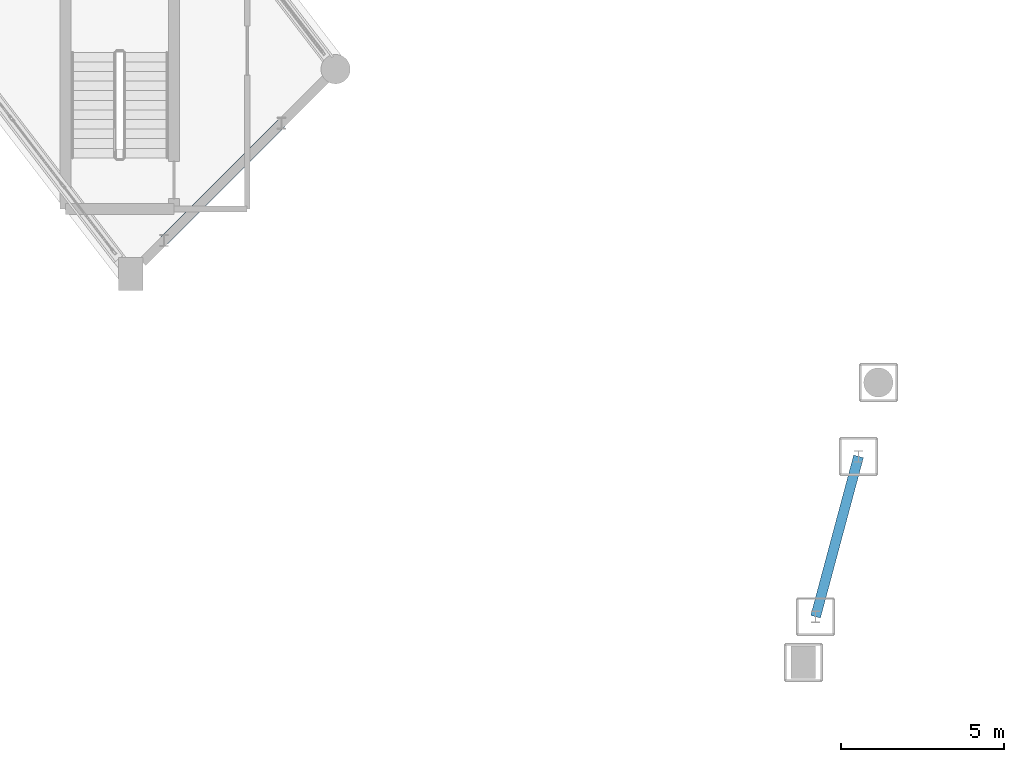
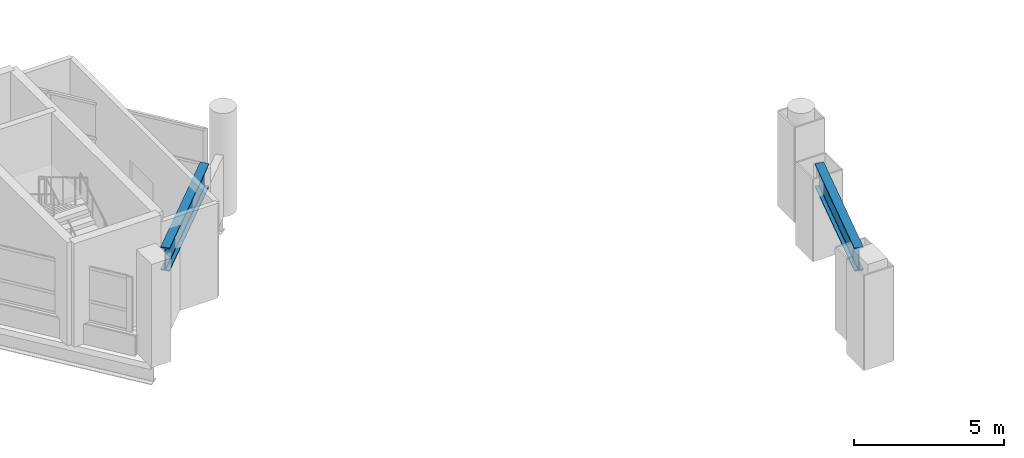
# One storey, part 22 of 128: 2 beams.
"""IFC4 building model written with IfcOpenShell, lengths in metres."""

from ifc_helpers import new_model, si_unit, direction, frame, origin, origin_2d, place, context, subcontext, project, spatial, i_section, extrude, material, material_profile, profile_set, type_object, element, save


model = new_model("IFC4")

# Units and contexts
model_context = context("Model", 3, precision=1e-05, world=origin(), true_north=direction((0.0, 1.0)))
body_context = subcontext(model_context, "Body", "Model", "MODEL_VIEW")
ifc_project = project(units=[si_unit("LENGTHUNIT", "METRE"), si_unit("AREAUNIT", "SQUARE_METRE"), si_unit("VOLUMEUNIT", "CUBIC_METRE"), si_unit("PLANEANGLEUNIT", "RADIAN"), si_unit("MASSUNIT", "GRAM", prefix="KILO")], contexts=[model_context])

# Site, building, storey
site_placement = place(None, origin())
site = spatial("IfcSite", under=ifc_project, at=site_placement, CompositionType="ELEMENT")
building_placement = place(site_placement, origin())
building = spatial("IfcBuilding", under=site, at=building_placement, Name="Vespera Passage Community Centre", CompositionType="ELEMENT")
storey_placement = place(building_placement, frame((0.0, 0.0, 4.5)))
storey = spatial("IfcBuildingStorey", under=building, at=storey_placement, Name="L01", CompositionType="ELEMENT", Elevation=4.5)

# Beams
ifc_material = material(Name="Steel ASTM A992 Grade 50", Category="steel")
ifc_material_profile = material_profile(ifc_material, i_section(OverallWidth=0.310302734375, OverallDepth=0.950439453125, WebThickness=0.0244140625, FlangeThickness=0.0439453125, FilletRadius=0.024169921875, at=origin_2d()), Name="W36X256")
ifc_profile_set = profile_set([ifc_material_profile], Name="Steel ASTM A992 Grade 50")
beam_type = type_object("IfcBeamType", Name="TG-256", PredefinedType="USERDEFINED", material=ifc_profile_set)
beam_1_placement = place(storey_placement, frame((46.427734375, 33.927734375, 3.0), z_axis=(0.707106781187, 0.707106781187, 0.0), x_axis=(-0.707106781187, 0.707106781187, 0.0)))
element("IfcBeam", 1, at=beam_1_placement, inside=storey, type_object=beam_type, Name="Pylon Truss Anchor Cap Girder 4", ObjectType="TRANSFER GIRDER", PredefinedType="USERDEFINED", context=body_context, shape_type="SweptSolid", body=[
    extrude(i_section(OverallWidth=0.310302734375, OverallDepth=0.950439453125, WebThickness=0.0244140625, FlangeThickness=0.0439453125, FilletRadius=0.024169921875, at=origin_2d()), origin(), (0.0, 0.0, 1.0), 5.099853515625),
])
beam_2_placement = place(storey_placement, frame((66.443603515625, 22.371337890625, 3.0), z_axis=(0.258833390731, 0.965921982275, 0.0), x_axis=(-0.965921982275, 0.258833390731, 0.0)))
element("IfcBeam", 2, at=beam_2_placement, inside=storey, type_object=beam_type, Name="Pylon Truss Anchor Cap Girder 5", ObjectType="TRANSFER GIRDER", PredefinedType="USERDEFINED", context=body_context, shape_type="SweptSolid", body=[
    extrude(i_section(OverallWidth=0.310302734375, OverallDepth=0.950439453125, WebThickness=0.0244140625, FlangeThickness=0.0439453125, FilletRadius=0.024169921875, at=origin_2d()), origin(), (0.0, 0.0, 1.0), 5.10009765625),
])

save(model, "model.ifc")
